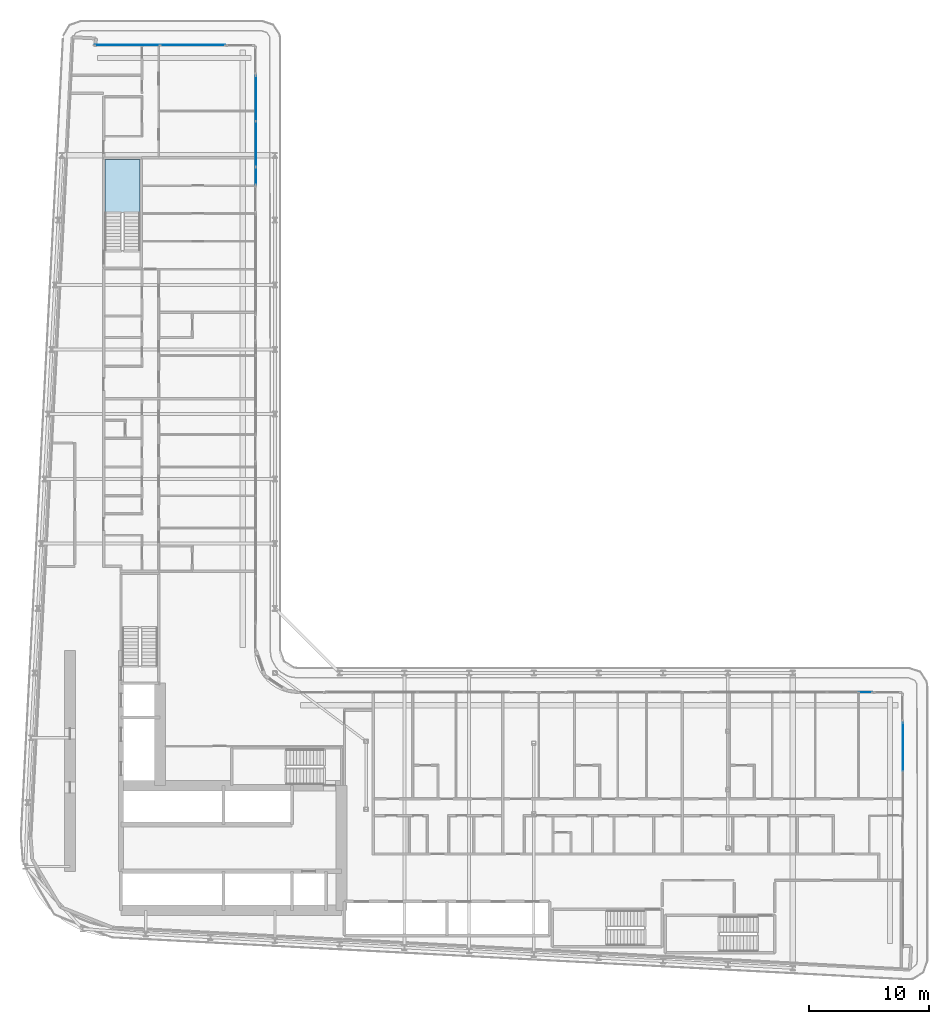
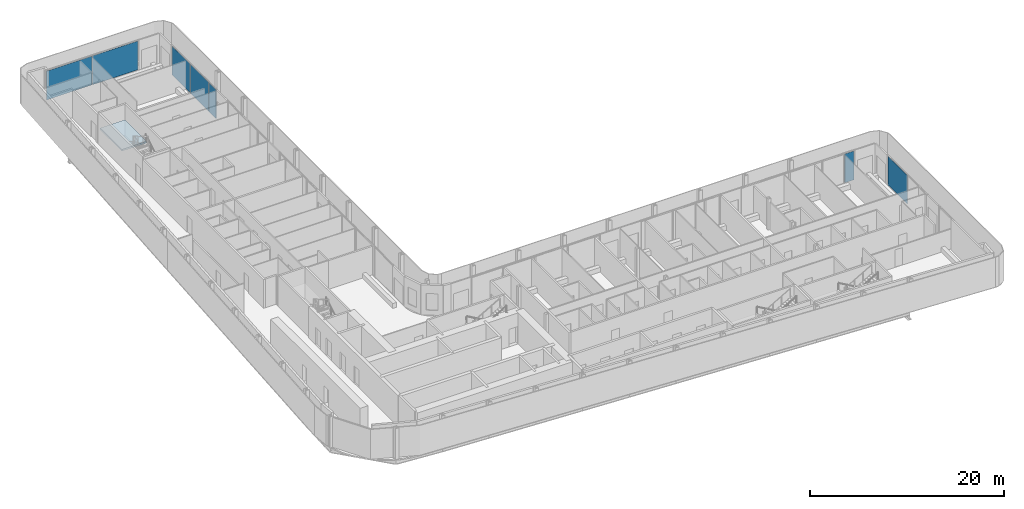
# One storey, part 13 of 29: 7 plates, 1 slab, 6 elements without a shape of their own.
"""IFC4 building model written with IfcOpenShell, lengths in metres."""

from ifc_helpers import new_model, si_unit, direction, frame, origin, origin_2d, place, context, subcontext, project, spatial, polyline, rectangle, outline, extrude, material, layer, layer_set, type_object, element, aggregate, save


model = new_model("IFC4")

# Units and contexts
model_context = context("Model", 3, precision=1e-05, world=origin(), true_north=direction((0.0, 1.0)))
body_context = subcontext(model_context, "Body", "Model", "MODEL_VIEW")
ifc_project = project(units=[si_unit("LENGTHUNIT", "METRE"), si_unit("AREAUNIT", "SQUARE_METRE"), si_unit("VOLUMEUNIT", "CUBIC_METRE"), si_unit("PLANEANGLEUNIT", "RADIAN"), si_unit("MASSUNIT", "GRAM", prefix="KILO")], contexts=[model_context])

# Site, building, storey
site_placement = place(None, origin())
site = spatial("IfcSite", under=ifc_project, at=site_placement, CompositionType="ELEMENT")
building_placement = place(site_placement, origin())
building = spatial("IfcBuilding", under=site, at=building_placement, Name="Kheshtan School and Residences Tower", CompositionType="ELEMENT")
storey_placement = place(building_placement, frame((0.0, 0.0, 117.5)))
storey = spatial("IfcBuildingStorey", under=building, at=storey_placement, Name="L27", CompositionType="ELEMENT", Elevation=117.5)

# Curtain wall, plates
ifc_material_1 = material(Name="Clear low-e glass in thermally broken aluminium frame", Category="aluminium")
ifc_layer_1 = layer(ifc_material_1, 0.199951171875)
ifc_layer_set_1 = layer_set([ifc_layer_1], Name="Curtain wall CW-L")
curtain_wall_type = type_object("IfcCurtainWallType", Name="Curtain wall CW-L", PredefinedType="NOTDEFINED", material=ifc_layer_set_1)
curtain_wall_1_placement = place(storey_placement, origin())
curtain_wall_1 = element("IfcCurtainWall", 1, at=curtain_wall_1_placement, inside=storey, type_object=curtain_wall_type, Name="Curtain wall CWL7", PredefinedType="NOTDEFINED")
ifc_layer_2 = layer(ifc_material_1, 0.031982421875)
ifc_layer_set_2 = layer_set([ifc_layer_2], Name="CW-L glass panel")
plate_type = type_object("IfcPlateType", Name="CW-L glass panel", PredefinedType="CURTAIN_PANEL", material=ifc_layer_set_2)
plate_1_placement = place(storey_placement, frame((35.259033203125, 98.0, 0.0), z_axis=(0.0, 0.0, 1.0), x_axis=(1.0, 0.0, 0.0)))
plate_1 = element("IfcPlate", 2, at=plate_1_placement, type_object=plate_type, Name="CWL7 panel 1.1", PredefinedType="CURTAIN_PANEL", context=body_context, shape_type="SweptSolid", body=[
    extrude(rectangle(XDim=5.4140625, YDim=0.031982421875, at=origin_2d()), origin(), (0.0, 0.0, 1.0), 3.6298828125),
])
plate_2_placement = place(storey_placement, frame((40.73291015625, 98.0, 0.0), z_axis=(0.0, 0.0, 1.0), x_axis=(1.0, 0.0, 0.0)))
plate_2 = element("IfcPlate", 3, at=plate_2_placement, type_object=plate_type, Name="CWL7 panel 2.1", PredefinedType="CURTAIN_PANEL", context=body_context, shape_type="SweptSolid", body=[
    extrude(rectangle(XDim=5.4140625, YDim=0.031982421875, at=origin_2d()), origin(), (0.0, 0.0, 1.0), 3.6298828125),
])
aggregate(curtain_wall_1, [plate_1, plate_2])

curtain_wall_2_placement = place(storey_placement, origin())
curtain_wall_2 = element("IfcCurtainWall", 4, at=curtain_wall_2_placement, inside=storey, type_object=curtain_wall_type, Name="Curtain wall CWL8", PredefinedType="NOTDEFINED")
plate_3_placement = place(storey_placement, frame((46.0, 93.5615234375, 0.0), z_axis=(0.0, 0.0, 1.0), x_axis=(0.0, -1.0, 0.0)))
plate_3 = element("IfcPlate", 5, at=plate_3_placement, type_object=plate_type, Name="CWL8 panel 1.1", PredefinedType="CURTAIN_PANEL", context=body_context, shape_type="SweptSolid", body=[
    extrude(rectangle(XDim=3.757080078125, YDim=0.031982421875, at=origin_2d()), origin(), (0.0, 0.0, 1.0), 3.6298828125),
])
plate_4_placement = place(storey_placement, frame((46.0, 89.744384765625, 0.0), z_axis=(0.0, 0.0, 1.0), x_axis=(0.0, -1.0, 0.0)))
plate_4 = element("IfcPlate", 6, at=plate_4_placement, type_object=plate_type, Name="CWL8 panel 2.1", PredefinedType="CURTAIN_PANEL", context=body_context, shape_type="SweptSolid", body=[
    extrude(rectangle(XDim=3.757080078125, YDim=0.031982421875, at=origin_2d()), origin(), (0.0, 0.0, 1.0), 3.6298828125),
])
aggregate(curtain_wall_2, [plate_3, plate_4])

# Curtain wall, plate
curtain_wall_3_placement = place(storey_placement, origin())
curtain_wall_3 = element("IfcCurtainWall", 7, at=curtain_wall_3_placement, inside=storey, type_object=curtain_wall_type, Name="Curtain wall CWL8a", PredefinedType="NOTDEFINED")
plate_5_placement = place(storey_placement, frame((46.0, 87.0859375, 0.0), z_axis=(0.0, 0.0, 1.0), x_axis=(0.0, -1.0, 0.0)))
plate_5 = element("IfcPlate", 8, at=plate_5_placement, type_object=plate_type, Name="CWL8a panel 1.1", PredefinedType="CURTAIN_PANEL", context=body_context, shape_type="SweptSolid", body=[
    extrude(rectangle(XDim=1.43994140625, YDim=0.031982421875, at=origin_2d()), origin(), (0.0, 0.0, 1.0), 3.6298828125),
])
aggregate(curtain_wall_3, [plate_5])

curtain_wall_4_placement = place(storey_placement, origin())
curtain_wall_4 = element("IfcCurtainWall", 9, at=curtain_wall_4_placement, inside=storey, type_object=curtain_wall_type, Name="Curtain wall CWL12k", PredefinedType="NOTDEFINED")
plate_6_placement = place(storey_placement, frame((96.885009765625, 44.0, 0.0), z_axis=(0.0, 0.0, 1.0), x_axis=(1.0, 0.0, 0.0)))
plate_6 = element("IfcPlate", 10, at=plate_6_placement, type_object=plate_type, Name="CWL12k panel 3.1", PredefinedType="CURTAIN_PANEL", context=body_context, shape_type="SweptSolid", body=[
    extrude(rectangle(XDim=1.110107421875, YDim=0.031982421875, at=origin_2d()), origin(), (0.0, 0.0, 1.0), 3.6298828125),
])
aggregate(curtain_wall_4, [plate_6])

curtain_wall_5_placement = place(storey_placement, origin())
curtain_wall_5 = element("IfcCurtainWall", 11, at=curtain_wall_5_placement, inside=storey, type_object=curtain_wall_type, Name="Curtain wall CWL13b", PredefinedType="NOTDEFINED")
plate_7_placement = place(storey_placement, frame((100.0, 39.436767578125, 0.0), z_axis=(0.0, 0.0, 1.0), x_axis=(0.0, -1.0, 0.0)))
plate_7 = element("IfcPlate", 12, at=plate_7_placement, type_object=plate_type, Name="CWL13b panel 1.1", PredefinedType="CURTAIN_PANEL", context=body_context, shape_type="SweptSolid", body=[
    extrude(rectangle(XDim=4.006591796875, YDim=0.031982421875, at=origin_2d()), origin(), (0.0, 0.0, 1.0), 3.6298828125),
])
aggregate(curtain_wall_5, [plate_7])

# Stair, slab
ifc_material_2 = material(Name="Concrete C40/50", Category="concrete")
stair_type = type_object("IfcStairType", Name="Exit stair, half-turn", PredefinedType="HALF_TURN_STAIR", material=ifc_material_2)
stair_placement = place(storey_placement, origin())
stair = element("IfcStair", 13, at=stair_placement, inside=storey, type_object=stair_type, Name="L27 Protected Exit Stair ST3", PredefinedType="HALF_TURN_STAIR")
ifc_layer_3 = layer(ifc_material_2, 0.199951171875)
ifc_layer_set_3 = layer_set([ifc_layer_3], Name="Stair landing 200 Concrete C40/50")
slab_type = type_object("IfcSlabType", Name="Stair landing 200 Concrete C40/50", PredefinedType="LANDING", material=ifc_layer_set_3)
slab_placement = place(storey_placement, frame((0.0, 0.0, 1.75)))
slab = element("IfcSlab", 14, at=slab_placement, type_object=slab_type, Name="ST3 landing 1", PredefinedType="LANDING", context=body_context, shape_type="SweptSolid", body=[
    extrude(outline(polyline([(36.35009765625, 83.97998046875), (36.35009765625, 88.4599609375), (33.39990234375, 88.4599609375), (33.39990234375, 83.97998046875), (36.35009765625, 83.97998046875)])), origin(), (0.0, 0.0, 1.0), 0.199951171875),
])
aggregate(stair, [slab])

save(model, "model.ifc")
